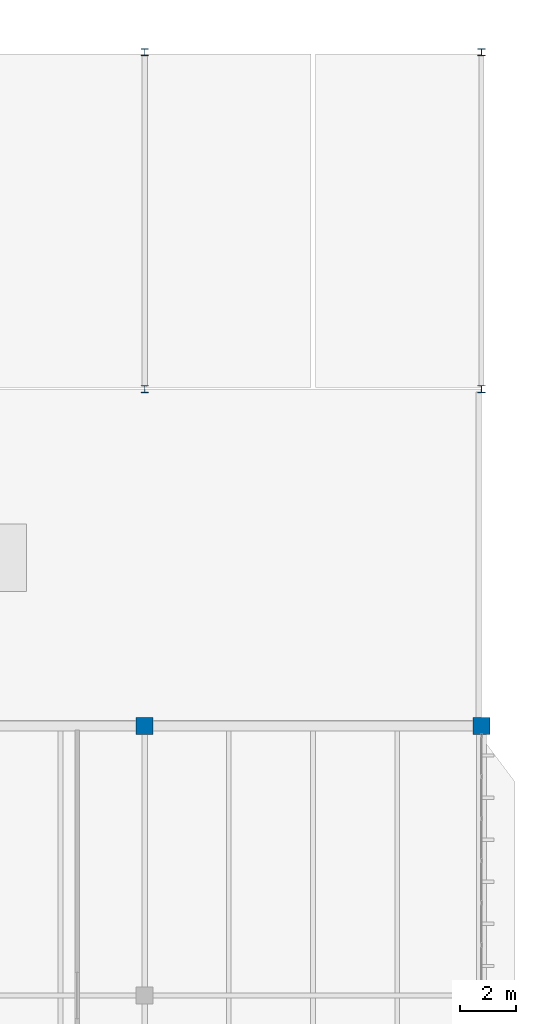
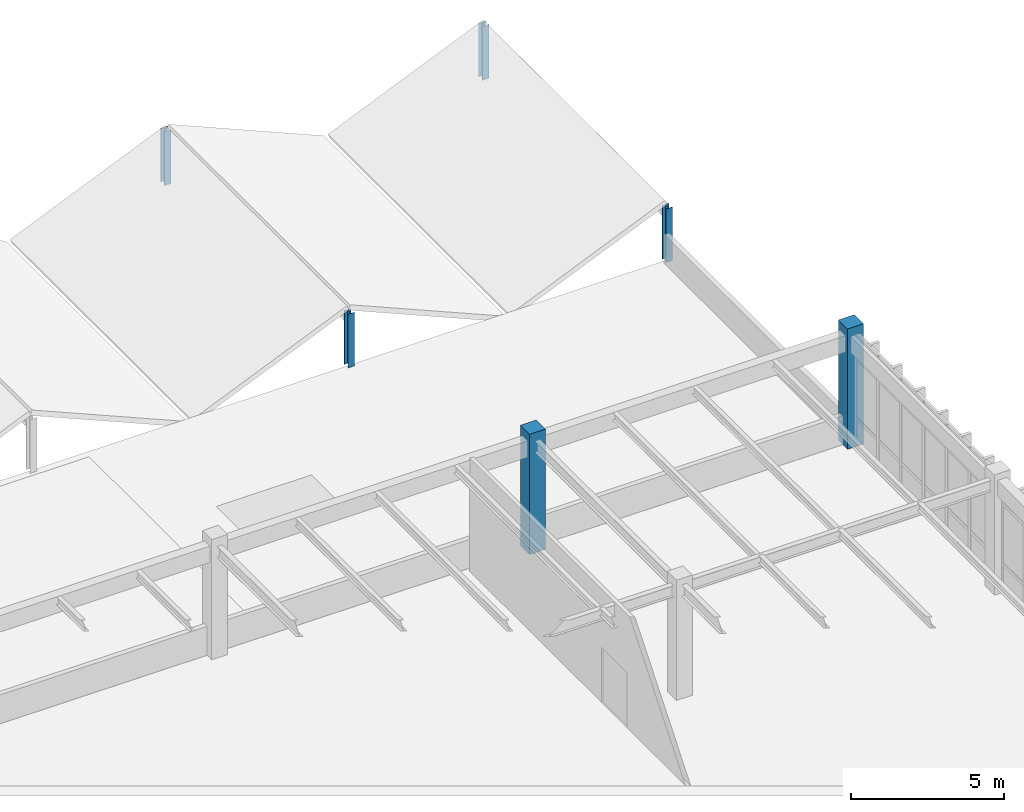
# One storey, part 8 of 236: 6 columns.
"""IFC4 building model written with IfcOpenShell, lengths in metres."""

from ifc_helpers import new_model, si_unit, direction, frame, origin, origin_2d, place, context, subcontext, project, spatial, rectangle, i_section, extrude, material, material_profile, profile_set, type_object, element, save


model = new_model("IFC4")

# Units and contexts
model_context = context("Model", 3, precision=1e-05, world=origin(), true_north=direction((0.0, 1.0)))
body_context = subcontext(model_context, "Body", "Model", "MODEL_VIEW")
ifc_project = project(units=[si_unit("LENGTHUNIT", "METRE"), si_unit("AREAUNIT", "SQUARE_METRE"), si_unit("VOLUMEUNIT", "CUBIC_METRE"), si_unit("PLANEANGLEUNIT", "RADIAN"), si_unit("MASSUNIT", "GRAM", prefix="KILO")], contexts=[model_context])

# Site, building, storey
site_placement = place(None, origin())
site = spatial("IfcSite", under=ifc_project, at=site_placement, CompositionType="ELEMENT")
building_placement = place(site_placement, origin())
building = spatial("IfcBuilding", under=site, at=building_placement, Name="Pandanus Reach Market Hall", CompositionType="ELEMENT")
storey_placement = place(building_placement, frame((0.0, 0.0, 5.39990234375)))
storey = spatial("IfcBuildingStorey", under=building, at=storey_placement, Name="L01", CompositionType="ELEMENT", Elevation=5.39990234375)

# Columns
ifc_material_1 = material(Name="Concrete N40 (40 MPa)", Category="concrete")
ifc_material_profile_1 = material_profile(ifc_material_1, rectangle(XDim=0.60009765625, YDim=0.60009765625, at=origin_2d()), Name="RC600x600", Category="LoadBearing")
ifc_profile_set_1 = profile_set([ifc_material_profile_1], Name="Concrete N40 (40 MPa)")
column_type_1 = type_object("IfcColumnType", Name="CL-RC600-E", PredefinedType="COLUMN", material=ifc_profile_set_1)
for number, where, z_axis, x_axis, name in (
    (1, (168.0, 96.0, 0.0), (0.0, 0.0, 1.0), (1.0, 0.0, 0.0), "Column CL-RC600-E V4-168-960 L01"),
    (2, (180.0, 96.0, 0.0), (0.0, 0.0, 1.0), (1.0, 0.0, 0.0), "Column CL-RC600-E V4-180-960 L01"),
):
    element("IfcColumn", number, at=place(storey_placement, frame(where, z_axis=z_axis, x_axis=x_axis)), inside=storey, type_object=column_type_1, Name=name, PredefinedType="COLUMN", context=body_context, shape_type="SweptSolid", body=[
        extrude(rectangle(XDim=0.60009765625, YDim=0.60009765625, at=origin_2d()), origin(), (0.0, 0.0, 1.0), 4.800048828125),
    ])
ifc_material_2 = material(Name="Steel Grade 350 (350 MPa)", Category="steel")
ifc_material_profile_2 = material_profile(ifc_material_2, i_section(OverallWidth=0.25390625, OverallDepth=0.25390625, WebThickness=0.008544921875, FlangeThickness=0.01416015625, at=origin_2d()), Name="250UC72.9", Category="LoadBearing")
ifc_profile_set_2 = profile_set([ifc_material_profile_2], Name="Steel Grade 350 (350 MPa)")
column_type_2 = type_object("IfcColumnType", Name="CL-UC250-I", PredefinedType="COLUMN", material=ifc_profile_set_2)
for number, where, z_axis, x_axis, name in (
    (3, (168.0, 108.0, 0.0), (0.0, 0.0, 1.0), (1.0, 0.0, 0.0), "Butterfly shell ridge support post L01.37"),
    (4, (168.0, 120.0, 0.0), (0.0, 0.0, 1.0), (1.0, 0.0, 0.0), "Butterfly shell ridge support post L01.38"),
    (5, (180.0, 108.0, 0.0), (0.0, 0.0, 1.0), (1.0, 0.0, 0.0), "Butterfly shell ridge support post L01.39"),
    (6, (180.0, 120.0, 0.0), (0.0, 0.0, 1.0), (1.0, 0.0, 0.0), "Butterfly shell ridge support post L01.40"),
):
    element("IfcColumn", number, at=place(storey_placement, frame(where, z_axis=z_axis, x_axis=x_axis)), inside=storey, type_object=column_type_2, Name=name, PredefinedType="COLUMN", context=body_context, shape_type="SweptSolid", body=[
        extrude(i_section(OverallWidth=0.25390625, OverallDepth=0.25390625, WebThickness=0.008544921875, FlangeThickness=0.01416015625, at=origin_2d()), origin(), (0.0, 0.0, 1.0), 2.14013671875),
    ])

save(model, "model.ifc")
